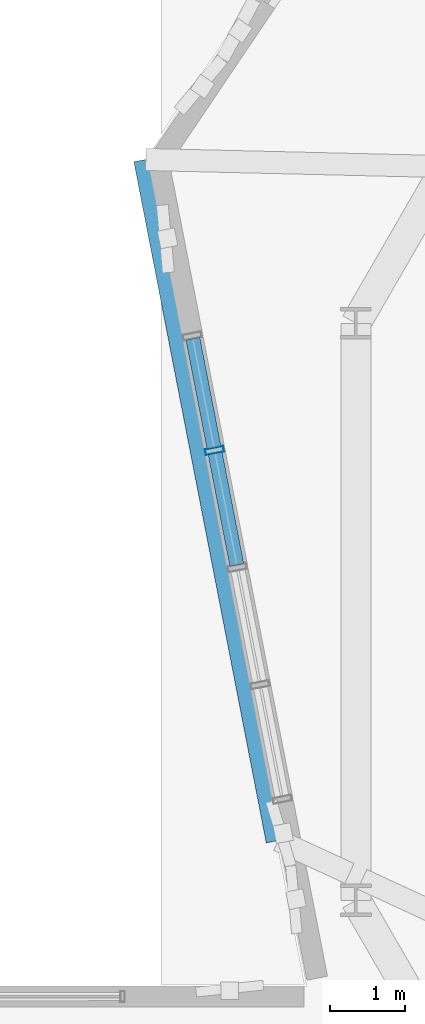
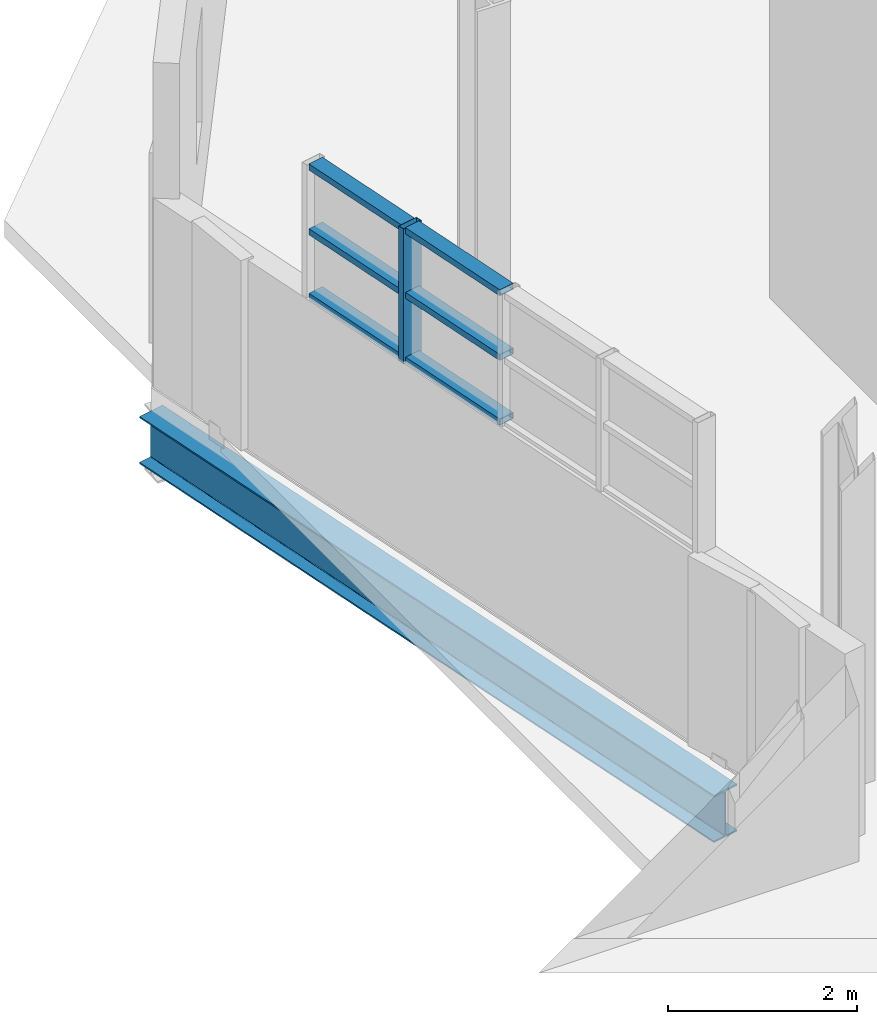
# One storey, part 18 of 142: 7 members, 1 beam, 1 element without a shape of its own.
"""IFC4 building model written with IfcOpenShell, lengths in metres."""

import ifcopenshell
import ifcopenshell.guid

model = None  # the IFC model being written
_history = None  # IfcOwnerHistory: only IFC2X3 demands one
_inside = {}  # id of a spatial element -> (the spatial element, [elements in it])
_under = {}  # id of a project, library or spatial element -> (it, [spatial elements below it])
_declared = {}  # id of a project -> (the project, [libraries it declares])
_typed = {}  # id of a type object -> (the type object, [elements of that type])
_made_of = {}  # id of a material, layer set ... -> (it, [elements and type objects made of it])


def new_model(schema):
    """Start an empty IFC model of exactly this schema.

    Asked for "IFC4X3", IfcOpenShell would pick the latest addendum, in which some entities
    have other attributes; the version numbers below select the first issue.
    IFC2X3 requires an IfcOwnerHistory on every rooted entity: one is made here for all.
    """
    global model, _history
    if schema == "IFC4X3":
        model = ifcopenshell.file(schema_version=(4, 3, 0, 0))
    else:
        model = ifcopenshell.file(schema=schema)
    _inside.clear()
    _under.clear()
    _declared.clear()
    _typed.clear()
    _made_of.clear()
    _history = None
    if model.schema == "IFC2X3":
        org = make("IfcOrganization", Name="unknown")
        user = make(
            "IfcPersonAndOrganization",
            ThePerson=make("IfcPerson", FamilyName="unknown"),
            TheOrganization=org,
        )
        app = make(
            "IfcApplication",
            ApplicationDeveloper=org,
            Version="unknown",
            ApplicationFullName="unknown",
            ApplicationIdentifier="unknown",
        )
        _history = make(
            "IfcOwnerHistory",
            OwningUser=user,
            OwningApplication=app,
            ChangeAction="ADDED",
            CreationDate=0,
        )
    return model


def make(cls, **values):
    """One entity of the class cls with the attributes given. An attribute that is None is left unset."""
    return model.create_entity(
        cls, **{name: value for name, value in values.items() if value is not None}
    )


def rooted(cls, **values):
    """An entity with a GlobalId (a new one), such as an element, a storey or a relation."""
    return make(cls, GlobalId=ifcopenshell.guid.new(), OwnerHistory=_history, **values)


def si_unit(unit_type, name, prefix=None):
    """IfcSIUnit, for example si_unit("LENGTHUNIT", "METRE", prefix="MILLI")."""
    return make("IfcSIUnit", UnitType=unit_type, Prefix=prefix, Name=name)


def assignment(units):
    """IfcUnitAssignment: the units of a project."""
    return None if units is None else make("IfcUnitAssignment", Units=units)


def point(xyz):
    """IfcCartesianPoint."""
    return None if xyz is None else make("IfcCartesianPoint", Coordinates=xyz)


def direction(xyz):
    """IfcDirection."""
    return None if xyz is None else make("IfcDirection", DirectionRatios=xyz)


def frame(location, z_axis=None, x_axis=None):
    """IfcAxis2Placement3D, a coordinate frame: its origin and axes. An axis left out is left unset."""
    return make(
        "IfcAxis2Placement3D",
        Location=point(location),
        Axis=direction(z_axis),
        RefDirection=direction(x_axis),
    )


def frame_2d(location, x_axis=None):
    """IfcAxis2Placement2D, a coordinate frame in the plane: its origin and x axis."""
    return make(
        "IfcAxis2Placement2D", Location=point(location), RefDirection=direction(x_axis)
    )


def origin():
    """The frame at (0, 0, 0) with its axes left unset."""
    return frame((0.0, 0.0, 0.0))


def origin_2d():
    """The frame at (0, 0) in the plane with its x axis left unset."""
    return frame_2d((0.0, 0.0))


def place(relative_to, where):
    """IfcLocalPlacement: puts the frame where relative to a parent placement (None: the world)."""
    return make(
        "IfcLocalPlacement", PlacementRelTo=relative_to, RelativePlacement=where
    )


def context(
    kind, dimensions, precision=None, world=None, true_north=None, identifier=None
):
    """IfcGeometricRepresentationContext, for example the 3D "Model" context."""
    return make(
        "IfcGeometricRepresentationContext",
        ContextIdentifier=identifier,
        ContextType=kind,
        CoordinateSpaceDimension=dimensions,
        Precision=precision,
        WorldCoordinateSystem=world,
        TrueNorth=true_north,
    )


def subcontext(parent, identifier, kind, view, scale=None):
    """IfcGeometricRepresentationSubContext, for example "Body" below "Model"."""
    return make(
        "IfcGeometricRepresentationSubContext",
        ContextIdentifier=identifier,
        ContextType=kind,
        ParentContext=parent,
        TargetScale=scale,
        TargetView=view,
    )


def project(units=None, contexts=None):
    """IfcProject with its units and contexts."""
    return rooted(
        "IfcProject",
        Name="project",
        RepresentationContexts=contexts,
        UnitsInContext=assignment(units),
    )


def spatial(cls, under=None, at=None, **own):
    """A site, building, storey or space (cls), placed at a placement, below another one or the project."""
    s = rooted(cls, ObjectPlacement=at, **own)
    if under is not None:
        _under.setdefault(under.id(), (under, []))[1].append(s)
    return s


def profile(cls, at=None, kind="AREA", **sizes):
    """A parametric profile (cls). Its sizes go by their IFC names, for example OverallWidth=200.0."""
    return make(cls, ProfileType=kind, Position=at, **sizes)


def hollow_rectangle(**sizes):
    """IfcRectangleHollowProfileDef."""
    return profile("IfcRectangleHollowProfileDef", **sizes)


def i_section(**sizes):
    """IfcIShapeProfileDef."""
    return profile("IfcIShapeProfileDef", **sizes)


def extrude(swept, where, along, depth):
    """IfcExtrudedAreaSolid: the profile swept, set in the frame where, extruded along a direction by depth."""
    return make(
        "IfcExtrudedAreaSolid",
        SweptArea=swept,
        Position=where,
        ExtrudedDirection=direction(along),
        Depth=depth,
    )


def shape(context_of_items, identifier, shape_type, items):
    """IfcShapeRepresentation: the items that make up one representation, for example the "Body"."""
    return make(
        "IfcShapeRepresentation",
        ContextOfItems=context_of_items,
        RepresentationIdentifier=identifier,
        RepresentationType=shape_type,
        Items=items,
    )


def material(Name=None, Category=None):
    """IfcMaterial."""
    return make("IfcMaterial", Name=Name, Category=Category)


def layer(
    of_material, thickness, ventilated=None, Name=None, Category=None, Priority=None
):
    """IfcMaterialLayer: one layer of a wall or slab, of a material (None: an air gap)."""
    return make(
        "IfcMaterialLayer",
        Material=of_material,
        LayerThickness=thickness,
        IsVentilated=ventilated,
        Name=Name,
        Category=Category,
        Priority=Priority,
    )


def layer_set(layers, Name=None):
    """IfcMaterialLayerSet."""
    return make("IfcMaterialLayerSet", MaterialLayers=layers, LayerSetName=Name)


def material_profile(
    of_material, cross_section, Name=None, Category=None, Priority=None
):
    """IfcMaterialProfile: a cross section and its material."""
    return make(
        "IfcMaterialProfile",
        Name=Name,
        Material=of_material,
        Profile=cross_section,
        Priority=Priority,
        Category=Category,
    )


def profile_set(profiles, Name=None, composite=None):
    """IfcMaterialProfileSet."""
    return make(
        "IfcMaterialProfileSet",
        Name=Name,
        MaterialProfiles=profiles,
        CompositeProfile=composite,
    )


def made_of(thing, what):
    """Note that an element or type object is made of a material, layer set ...; save() writes the relation."""
    if what is not None:
        _made_of.setdefault(what.id(), (what, []))[1].append(thing)
    return thing


def type_object(cls, material=None, **own):
    """A type object (cls), such as IfcWallType, which elements share."""
    return made_of(rooted(cls, **own), material)


def element(
    cls,
    number,
    at=None,
    inside=None,
    cuts=None,
    type_object=None,
    material=None,
    context=None,
    identifier="Body",
    shape_type=None,
    held_by="IfcProductDefinitionShape",
    body=None,
    shapes=None,
    **own,
):
    """One element of the class cls, such as IfcWall. Its Tag is "e" and its number.

    at: its placement. inside: the storey or other place that contains it. cuts: it is an
    opening in that element (IfcRelVoidsElement). A single representation is given by context,
    identifier, shape_type and body (its items); several are given by shapes. held_by: the class
    of the entity that holds the representations. save() writes the other relations.
    """
    e = rooted(cls, Tag="e%d" % number, ObjectPlacement=at, **own)
    if body is not None:
        shapes = [shape(context, identifier, shape_type, body)]
    if shapes is not None:
        e.Representation = make(held_by, Representations=shapes)
    if inside is not None:
        _inside.setdefault(inside.id(), (inside, []))[1].append(e)
    if cuts is not None:
        rooted(
            "IfcRelVoidsElement", RelatingBuildingElement=cuts, RelatedOpeningElement=e
        )
    if type_object is not None:
        _typed.setdefault(type_object.id(), (type_object, []))[1].append(e)
    return made_of(e, material)


def aggregate(whole, parts):
    """IfcRelAggregates: a whole, such as a stair, and the parts it consists of."""
    return rooted("IfcRelAggregates", RelatingObject=whole, RelatedObjects=parts)


def save(model, path):
    """Write the relations noted so far, then the file.

    IfcRelAggregates (storeys below a building ...), IfcRelContainedInSpatialStructure (elements
    in a storey), IfcRelDefinesByType, IfcRelAssociatesMaterial and IfcRelDeclares: one each for
    every whole, place, type object, material and project.
    """
    for whole, parts in _under.values():
        aggregate(whole, parts)
    for where, things in _inside.values():
        rooted(
            "IfcRelContainedInSpatialStructure",
            RelatedElements=things,
            RelatingStructure=where,
        )
    for kind, things in _typed.values():
        rooted("IfcRelDefinesByType", RelatedObjects=things, RelatingType=kind)
    for what, things in _made_of.values():
        rooted("IfcRelAssociatesMaterial", RelatedObjects=things, RelatingMaterial=what)
    for by, libraries in _declared.values():
        rooted("IfcRelDeclares", RelatingContext=by, RelatedDefinitions=libraries)
    model.write(path)


model = new_model("IFC4")

# Units and contexts
model_context = context("Model", 3, precision=1e-05, world=origin(), true_north=direction((0.0, 1.0)))
body_context = subcontext(model_context, "Body", "Model", "MODEL_VIEW")
ifc_project = project(units=[si_unit("LENGTHUNIT", "METRE"), si_unit("AREAUNIT", "SQUARE_METRE"), si_unit("VOLUMEUNIT", "CUBIC_METRE"), si_unit("PLANEANGLEUNIT", "RADIAN"), si_unit("MASSUNIT", "GRAM", prefix="KILO"), si_unit("THERMODYNAMICTEMPERATUREUNIT", "KELVIN"), si_unit("POWERUNIT", "WATT")], contexts=[model_context])

# Site, building, storey
site_placement = place(None, origin())
site = spatial("IfcSite", under=ifc_project, at=site_placement, CompositionType="ELEMENT")
building_placement = place(site_placement, origin())
building = spatial("IfcBuilding", under=site, at=building_placement, Name="Zelmaris Science Centre", CompositionType="ELEMENT")
storey_placement = place(building_placement, frame((0.0, 0.0, 5.39990234375)))
storey = spatial("IfcBuildingStorey", under=building, at=storey_placement, Name="L01", CompositionType="ELEMENT", Elevation=5.39990234375)

# Curtain wall, members
ifc_material_1 = material(Name="Anodised architectural aluminium 6063-T6", Category="aluminium")
ifc_layer = layer(ifc_material_1, 0.18994140625, Name="Anodised architectural aluminium 6063-T6")
ifc_layer_set = layer_set([ifc_layer], Name="Anodised architectural aluminium 6063-T6")
curtain_wall_type = type_object("IfcCurtainWallType", Name="Curtain Wall CW-01", PredefinedType="USERDEFINED", material=ifc_layer_set)
curtain_wall_placement = place(storey_placement, origin())
curtain_wall = element("IfcCurtainWall", 1, at=curtain_wall_placement, inside=storey, type_object=curtain_wall_type, Name="L01 Clerestory curtain wall 193", ObjectType="GLAZED CURTAIN WALL", PredefinedType="USERDEFINED")
ifc_material_profile_1 = material_profile(ifc_material_1, hollow_rectangle(XDim=0.080078125, YDim=0.25, WallThickness=0.0048828125, at=origin_2d()), Name="ALU-MUL-80X250")
ifc_profile_set_1 = profile_set([ifc_material_profile_1], Name="Anodised architectural aluminium 6063-T6")
member_type_1 = type_object("IfcMemberType", Name="ALU-MUL-80X250", PredefinedType="MULLION", material=ifc_profile_set_1)
member_1_placement = place(storey_placement, frame((64.71923828125, 38.155517578125, 2.420166015625), z_axis=(0.0, 0.0, 1.0), x_axis=(-0.190802142321, 0.981628515522, 0.0)))
member_1 = element("IfcMember", 2, at=member_1_placement, type_object=member_type_1, Name="CW-01 mullion 4", PredefinedType="MULLION", context=body_context, shape_type="SweptSolid", body=[
    extrude(hollow_rectangle(XDim=0.080078125, YDim=0.25, WallThickness=0.0048828125, at=origin_2d()), origin(), (0.0, 0.0, 1.0), 1.743896484375),
])
ifc_material_profile_2 = material_profile(ifc_material_1, hollow_rectangle(XDim=0.080078125, YDim=0.18994140625, WallThickness=0.00439453125, at=origin_2d()), Name="ALU-TRN-80X190")
ifc_profile_set_2 = profile_set([ifc_material_profile_2], Name="Anodised architectural aluminium 6063-T6")
member_type_2 = type_object("IfcMemberType", Name="ALU-TRN-80X190", PredefinedType="USERDEFINED", material=ifc_profile_set_2)
member_2_placement = place(storey_placement, frame((65.0166015625, 36.625, 2.4560546875), z_axis=(-0.190719516861, 0.981644572077, 0.0), x_axis=(0.0, 0.0, 1.0)))
member_2 = element("IfcMember", 3, at=member_2_placement, type_object=member_type_2, Name="CW-01 transom 3.1", ObjectType="TRANSOM", PredefinedType="USERDEFINED", context=body_context, shape_type="SweptSolid", body=[
    extrude(hollow_rectangle(XDim=0.080078125, YDim=0.18994140625, WallThickness=0.00439453125, at=origin_2d()), origin(), (0.0, 0.0, 1.0), 1.5234375),
])
member_3_placement = place(storey_placement, frame((65.0166015625, 36.625, 3.2919921875), z_axis=(-0.190719516861, 0.981644572077, 0.0), x_axis=(0.0, 0.0, 1.0)))
member_3 = element("IfcMember", 4, at=member_3_placement, type_object=member_type_2, Name="CW-01 transom 3.2", ObjectType="TRANSOM", PredefinedType="USERDEFINED", context=body_context, shape_type="SweptSolid", body=[
    extrude(hollow_rectangle(XDim=0.080078125, YDim=0.18994140625, WallThickness=0.00439453125, at=origin_2d()), origin(), (0.0, 0.0, 1.0), 1.5234375),
])
member_4_placement = place(storey_placement, frame((65.0166015625, 36.625, 4.128173828125), z_axis=(-0.190719516861, 0.981644572077, 0.0), x_axis=(0.0, 0.0, 1.0)))
member_4 = element("IfcMember", 5, at=member_4_placement, type_object=member_type_2, Name="CW-01 transom 3.3", ObjectType="TRANSOM", PredefinedType="USERDEFINED", context=body_context, shape_type="SweptSolid", body=[
    extrude(hollow_rectangle(XDim=0.080078125, YDim=0.18994140625, WallThickness=0.00439453125, at=origin_2d()), origin(), (0.0, 0.0, 1.0), 1.5234375),
])
member_5_placement = place(storey_placement, frame((64.71240234375, 38.19091796875, 2.4560546875), z_axis=(-0.190904807525, 0.9816085546, 0.0), x_axis=(0.0, 0.0, 1.0)))
member_5 = element("IfcMember", 6, at=member_5_placement, type_object=member_type_2, Name="CW-01 transom 4.1", ObjectType="TRANSOM", PredefinedType="USERDEFINED", context=body_context, shape_type="SweptSolid", body=[
    extrude(hollow_rectangle(XDim=0.080078125, YDim=0.18994140625, WallThickness=0.00439453125, at=origin_2d()), origin(), (0.0, 0.0, 1.0), 1.4873046875),
])
member_6_placement = place(storey_placement, frame((64.71240234375, 38.19091796875, 3.2919921875), z_axis=(-0.190904807525, 0.9816085546, 0.0), x_axis=(0.0, 0.0, 1.0)))
member_6 = element("IfcMember", 7, at=member_6_placement, type_object=member_type_2, Name="CW-01 transom 4.2", ObjectType="TRANSOM", PredefinedType="USERDEFINED", context=body_context, shape_type="SweptSolid", body=[
    extrude(hollow_rectangle(XDim=0.080078125, YDim=0.18994140625, WallThickness=0.00439453125, at=origin_2d()), origin(), (0.0, 0.0, 1.0), 1.4873046875),
])
member_7_placement = place(storey_placement, frame((64.71240234375, 38.19091796875, 4.128173828125), z_axis=(-0.190904807525, 0.9816085546, 0.0), x_axis=(0.0, 0.0, 1.0)))
member_7 = element("IfcMember", 8, at=member_7_placement, type_object=member_type_2, Name="CW-01 transom 4.3", ObjectType="TRANSOM", PredefinedType="USERDEFINED", context=body_context, shape_type="SweptSolid", body=[
    extrude(hollow_rectangle(XDim=0.080078125, YDim=0.18994140625, WallThickness=0.00439453125, at=origin_2d()), origin(), (0.0, 0.0, 1.0), 1.4873046875),
])
aggregate(curtain_wall, [member_1, member_2, member_3, member_4, member_5, member_6, member_7])

# Beam
ifc_material_2 = material(Name="Steel ASTM A992 Grade 50", Category="steel")
ifc_material_profile_3 = material_profile(ifc_material_2, i_section(OverallWidth=0.324951171875, OverallDepth=0.612060546875, WebThickness=0.0126953125, FlangeThickness=0.01904296875, FilletRadius=0.014892578125, at=origin_2d()), Name="W24X104")
ifc_profile_set_3 = profile_set([ifc_material_profile_3], Name="Steel ASTM A992 Grade 50")
beam_type = type_object("IfcBeamType", Name="Beam SP-01 W24X104", PredefinedType="SPANDREL", material=ifc_profile_set_3)
beam_placement = place(storey_placement, frame((63.7998046875, 42.046875, -0.60595703125), z_axis=(0.190787930432, -0.981631277824, 0.0), x_axis=(0.981631277824, 0.190787930432, 0.0)))
element("IfcBeam", 9, at=beam_placement, inside=storey, type_object=beam_type, Name="L01 Rotated facade spandrel beam 3", PredefinedType="SPANDREL", context=body_context, shape_type="SweptSolid", body=[
    extrude(i_section(OverallWidth=0.324951171875, OverallDepth=0.612060546875, WebThickness=0.0126953125, FlangeThickness=0.01904296875, FilletRadius=0.014892578125, at=origin_2d()), origin(), (0.0, 0.0, 1.0), 9.27490234375),
])

save(model, "model.ifc")
